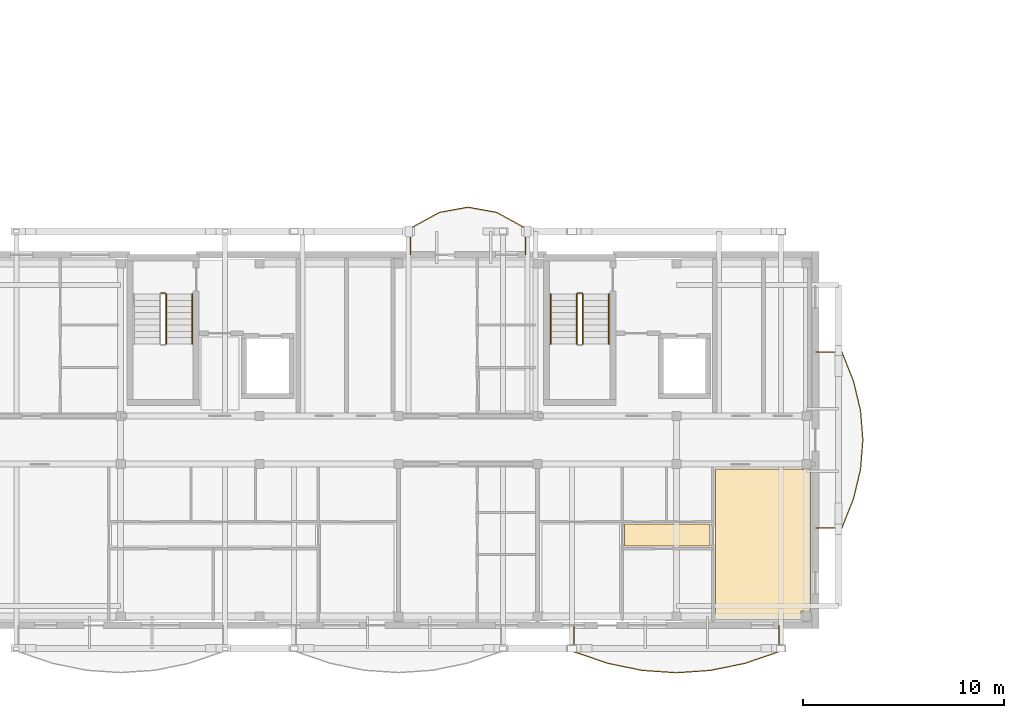
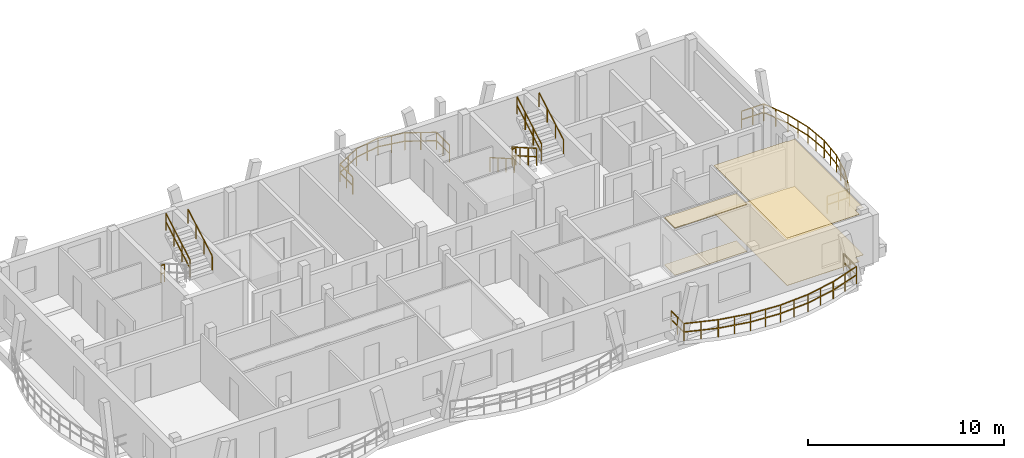
# One storey, part 19 of 21: 11 railings, 4 coverings.
"""IFC4 building model written with IfcOpenShell, lengths in metres."""

import ifcopenshell
import ifcopenshell.guid

model = None  # the IFC model being written
_history = None  # IfcOwnerHistory: only IFC2X3 demands one
_inside = {}  # id of a spatial element -> (the spatial element, [elements in it])
_under = {}  # id of a project, library or spatial element -> (it, [spatial elements below it])
_declared = {}  # id of a project -> (the project, [libraries it declares])
_typed = {}  # id of a type object -> (the type object, [elements of that type])
_made_of = {}  # id of a material, layer set ... -> (it, [elements and type objects made of it])


def new_model(schema):
    """Start an empty IFC model of exactly this schema.

    Asked for "IFC4X3", IfcOpenShell would pick the latest addendum, in which some entities
    have other attributes; the version numbers below select the first issue.
    IFC2X3 requires an IfcOwnerHistory on every rooted entity: one is made here for all.
    """
    global model, _history
    if schema == "IFC4X3":
        model = ifcopenshell.file(schema_version=(4, 3, 0, 0))
    else:
        model = ifcopenshell.file(schema=schema)
    _inside.clear()
    _under.clear()
    _declared.clear()
    _typed.clear()
    _made_of.clear()
    _history = None
    if model.schema == "IFC2X3":
        org = make("IfcOrganization", Name="unknown")
        user = make(
            "IfcPersonAndOrganization",
            ThePerson=make("IfcPerson", FamilyName="unknown"),
            TheOrganization=org,
        )
        app = make(
            "IfcApplication",
            ApplicationDeveloper=org,
            Version="unknown",
            ApplicationFullName="unknown",
            ApplicationIdentifier="unknown",
        )
        _history = make(
            "IfcOwnerHistory",
            OwningUser=user,
            OwningApplication=app,
            ChangeAction="ADDED",
            CreationDate=0,
        )
    return model


def make(cls, **values):
    """One entity of the class cls with the attributes given. An attribute that is None is left unset."""
    return model.create_entity(
        cls, **{name: value for name, value in values.items() if value is not None}
    )


def rooted(cls, **values):
    """An entity with a GlobalId (a new one), such as an element, a storey or a relation."""
    return make(cls, GlobalId=ifcopenshell.guid.new(), OwnerHistory=_history, **values)


def si_unit(unit_type, name, prefix=None):
    """IfcSIUnit, for example si_unit("LENGTHUNIT", "METRE", prefix="MILLI")."""
    return make("IfcSIUnit", UnitType=unit_type, Prefix=prefix, Name=name)


def assignment(units):
    """IfcUnitAssignment: the units of a project."""
    return None if units is None else make("IfcUnitAssignment", Units=units)


def point(xyz):
    """IfcCartesianPoint."""
    return None if xyz is None else make("IfcCartesianPoint", Coordinates=xyz)


def direction(xyz):
    """IfcDirection."""
    return None if xyz is None else make("IfcDirection", DirectionRatios=xyz)


def frame(location, z_axis=None, x_axis=None):
    """IfcAxis2Placement3D, a coordinate frame: its origin and axes. An axis left out is left unset."""
    return make(
        "IfcAxis2Placement3D",
        Location=point(location),
        Axis=direction(z_axis),
        RefDirection=direction(x_axis),
    )


def frame_2d(location, x_axis=None):
    """IfcAxis2Placement2D, a coordinate frame in the plane: its origin and x axis."""
    return make(
        "IfcAxis2Placement2D", Location=point(location), RefDirection=direction(x_axis)
    )


def origin():
    """The frame at (0, 0, 0) with its axes left unset."""
    return frame((0.0, 0.0, 0.0))


def origin_2d():
    """The frame at (0, 0) in the plane with its x axis left unset."""
    return frame_2d((0.0, 0.0))


def place(relative_to, where):
    """IfcLocalPlacement: puts the frame where relative to a parent placement (None: the world)."""
    return make(
        "IfcLocalPlacement", PlacementRelTo=relative_to, RelativePlacement=where
    )


def context(
    kind, dimensions, precision=None, world=None, true_north=None, identifier=None
):
    """IfcGeometricRepresentationContext, for example the 3D "Model" context."""
    return make(
        "IfcGeometricRepresentationContext",
        ContextIdentifier=identifier,
        ContextType=kind,
        CoordinateSpaceDimension=dimensions,
        Precision=precision,
        WorldCoordinateSystem=world,
        TrueNorth=true_north,
    )


def subcontext(parent, identifier, kind, view, scale=None):
    """IfcGeometricRepresentationSubContext, for example "Body" below "Model"."""
    return make(
        "IfcGeometricRepresentationSubContext",
        ContextIdentifier=identifier,
        ContextType=kind,
        ParentContext=parent,
        TargetScale=scale,
        TargetView=view,
    )


def project(units=None, contexts=None):
    """IfcProject with its units and contexts."""
    return rooted(
        "IfcProject",
        Name="project",
        RepresentationContexts=contexts,
        UnitsInContext=assignment(units),
    )


def spatial(cls, under=None, at=None, **own):
    """A site, building, storey or space (cls), placed at a placement, below another one or the project."""
    s = rooted(cls, ObjectPlacement=at, **own)
    if under is not None:
        _under.setdefault(under.id(), (under, []))[1].append(s)
    return s


def polyline(points):
    """IfcPolyline through the points."""
    return make("IfcPolyline", Points=[point(p) for p in points])


def profile(cls, at=None, kind="AREA", **sizes):
    """A parametric profile (cls). Its sizes go by their IFC names, for example OverallWidth=200.0."""
    return make(cls, ProfileType=kind, Position=at, **sizes)


def rectangle(**sizes):
    """IfcRectangleProfileDef."""
    return profile("IfcRectangleProfileDef", **sizes)


def outline(outer, holes=None, kind="AREA"):
    """IfcArbitraryClosedProfileDef: a profile drawn as a closed curve; with holes, ...WithVoids."""
    if holes is None:
        return make("IfcArbitraryClosedProfileDef", ProfileType=kind, OuterCurve=outer)
    return make(
        "IfcArbitraryProfileDefWithVoids",
        ProfileType=kind,
        OuterCurve=outer,
        InnerCurves=holes,
    )


def extrude(swept, where, along, depth):
    """IfcExtrudedAreaSolid: the profile swept, set in the frame where, extruded along a direction by depth."""
    return make(
        "IfcExtrudedAreaSolid",
        SweptArea=swept,
        Position=where,
        ExtrudedDirection=direction(along),
        Depth=depth,
    )


def shape(context_of_items, identifier, shape_type, items):
    """IfcShapeRepresentation: the items that make up one representation, for example the "Body"."""
    return make(
        "IfcShapeRepresentation",
        ContextOfItems=context_of_items,
        RepresentationIdentifier=identifier,
        RepresentationType=shape_type,
        Items=items,
    )


def material(Name=None, Category=None):
    """IfcMaterial."""
    return make("IfcMaterial", Name=Name, Category=Category)


def layer(
    of_material, thickness, ventilated=None, Name=None, Category=None, Priority=None
):
    """IfcMaterialLayer: one layer of a wall or slab, of a material (None: an air gap)."""
    return make(
        "IfcMaterialLayer",
        Material=of_material,
        LayerThickness=thickness,
        IsVentilated=ventilated,
        Name=Name,
        Category=Category,
        Priority=Priority,
    )


def layer_set(layers, Name=None):
    """IfcMaterialLayerSet."""
    return make("IfcMaterialLayerSet", MaterialLayers=layers, LayerSetName=Name)


def made_of(thing, what):
    """Note that an element or type object is made of a material, layer set ...; save() writes the relation."""
    if what is not None:
        _made_of.setdefault(what.id(), (what, []))[1].append(thing)
    return thing


def type_object(cls, material=None, **own):
    """A type object (cls), such as IfcWallType, which elements share."""
    return made_of(rooted(cls, **own), material)


def element(
    cls,
    number,
    at=None,
    inside=None,
    cuts=None,
    type_object=None,
    material=None,
    context=None,
    identifier="Body",
    shape_type=None,
    held_by="IfcProductDefinitionShape",
    body=None,
    shapes=None,
    **own,
):
    """One element of the class cls, such as IfcWall. Its Tag is "e" and its number.

    at: its placement. inside: the storey or other place that contains it. cuts: it is an
    opening in that element (IfcRelVoidsElement). A single representation is given by context,
    identifier, shape_type and body (its items); several are given by shapes. held_by: the class
    of the entity that holds the representations. save() writes the other relations.
    """
    e = rooted(cls, Tag="e%d" % number, ObjectPlacement=at, **own)
    if body is not None:
        shapes = [shape(context, identifier, shape_type, body)]
    if shapes is not None:
        e.Representation = make(held_by, Representations=shapes)
    if inside is not None:
        _inside.setdefault(inside.id(), (inside, []))[1].append(e)
    if cuts is not None:
        rooted(
            "IfcRelVoidsElement", RelatingBuildingElement=cuts, RelatedOpeningElement=e
        )
    if type_object is not None:
        _typed.setdefault(type_object.id(), (type_object, []))[1].append(e)
    return made_of(e, material)


def aggregate(whole, parts):
    """IfcRelAggregates: a whole, such as a stair, and the parts it consists of."""
    return rooted("IfcRelAggregates", RelatingObject=whole, RelatedObjects=parts)


def save(model, path):
    """Write the relations noted so far, then the file.

    IfcRelAggregates (storeys below a building ...), IfcRelContainedInSpatialStructure (elements
    in a storey), IfcRelDefinesByType, IfcRelAssociatesMaterial and IfcRelDeclares: one each for
    every whole, place, type object, material and project.
    """
    for whole, parts in _under.values():
        aggregate(whole, parts)
    for where, things in _inside.values():
        rooted(
            "IfcRelContainedInSpatialStructure",
            RelatedElements=things,
            RelatingStructure=where,
        )
    for kind, things in _typed.values():
        rooted("IfcRelDefinesByType", RelatedObjects=things, RelatingType=kind)
    for what, things in _made_of.values():
        rooted("IfcRelAssociatesMaterial", RelatedObjects=things, RelatingMaterial=what)
    for by, libraries in _declared.values():
        rooted("IfcRelDeclares", RelatingContext=by, RelatedDefinitions=libraries)
    model.write(path)


model = new_model("IFC4")

# Units and contexts
model_context = context("Model", 3, precision=1e-05, world=origin(), true_north=direction((0.0, 1.0)))
body_context = subcontext(model_context, "Body", "Model", "MODEL_VIEW")
ifc_project = project(units=[si_unit("LENGTHUNIT", "METRE"), si_unit("AREAUNIT", "SQUARE_METRE"), si_unit("VOLUMEUNIT", "CUBIC_METRE"), si_unit("PLANEANGLEUNIT", "RADIAN"), si_unit("MASSUNIT", "GRAM", prefix="KILO")], contexts=[model_context])

# Site, building, storey
site_placement = place(None, origin())
site = spatial("IfcSite", under=ifc_project, at=site_placement, CompositionType="ELEMENT")
building_placement = place(site_placement, origin())
building = spatial("IfcBuilding", under=site, at=building_placement, Name="Zavelmont Quarter", CompositionType="ELEMENT")
storey_placement = place(building_placement, frame((0.0, 0.0, 36.800048828125)))
storey = spatial("IfcBuildingStorey", under=building, at=storey_placement, Name="L11", CompositionType="ELEMENT", Elevation=36.800048828125)

# Coverings
ifc_material_1 = material(Name="Perforated acoustic gypsum board")
ifc_layer_1 = layer(ifc_material_1, 0.02490234375)
ifc_layer_set_1 = layer_set([ifc_layer_1], Name="Perforated acoustic gypsum board")
covering_type_1 = type_object("IfcCoveringType", Name="CV-CL01", PredefinedType="CEILING", material=ifc_layer_set_1)
covering_1_placement = place(storey_placement, frame((0.0, 0.0, 2.945068359375)))
element("IfcCovering", 1, at=covering_1_placement, inside=storey, type_object=covering_type_1, Name="L11 Living Dining acoustic ceiling", PredefinedType="CEILING", context=body_context, shape_type="SweptSolid", body=[
    extrude(outline(polyline([(36.429931640625, 7.77001953125), (40.695068359375, 7.77001953125), (40.695068359375, 7.735107421875), (41.169921875, 7.735107421875), (41.169921875, 0.705078125), (40.695068359375, 0.705078125), (40.695068359375, 0.280029296875), (36.429931640625, 0.280029296875), (36.429931640625, 7.77001953125)])), origin(), (0.0, 0.0, 1.0), 0.02490234375),
])
ifc_material_2 = material(Name="Slatted European ash acoustic baffle ceiling")
ifc_layer_2 = layer(ifc_material_2, 0.0400390625)
ifc_layer_set_2 = layer_set([ifc_layer_2], Name="Slatted European ash acoustic baffle ceiling")
covering_type_2 = type_object("IfcCoveringType", Name="CV-CL02", PredefinedType="CEILING", material=ifc_layer_set_2)
covering_2_placement = place(storey_placement, frame((0.0, 0.0, 2.929931640625)))
element("IfcCovering", 2, at=covering_2_placement, inside=storey, type_object=covering_type_2, Name="L11 Apartment Hall acoustic ceiling", PredefinedType="CEILING", context=body_context, shape_type="SweptSolid", body=[
    extrude(outline(polyline([(31.929931640625, 5.02001953125), (36.169921875, 5.02001953125), (36.169921875, 3.929931640625), (31.929931640625, 3.929931640625), (31.929931640625, 5.02001953125)])), origin(), (0.0, 0.0, 1.0), 0.0400390625),
])
ifc_material_3 = material(Name="Engineered European oak parquet")
ifc_layer_3 = layer(ifc_material_3, 0.02197265625)
ifc_layer_set_3 = layer_set([ifc_layer_3], Name="Engineered European oak parquet")
covering_type_3 = type_object("IfcCoveringType", Name="CV-FL01", PredefinedType="FLOORING", material=ifc_layer_set_3)
covering_3_placement = place(storey_placement, origin())
element("IfcCovering", 3, at=covering_3_placement, inside=storey, type_object=covering_type_3, Name="L11 Living Dining floor finish", PredefinedType="FLOORING", context=body_context, shape_type="SweptSolid", body=[
    extrude(outline(polyline([(36.429931640625, 7.77001953125), (40.695068359375, 7.77001953125), (40.695068359375, 7.735107421875), (41.169921875, 7.735107421875), (41.169921875, 0.705078125), (40.695068359375, 0.705078125), (40.695068359375, 0.280029296875), (36.429931640625, 0.280029296875), (36.429931640625, 7.77001953125)])), origin(), (0.0, 0.0, 1.0), 0.02197265625),
])
ifc_material_4 = material(Name="Honed Belgian bluestone tile", Category="masonry")
ifc_layer_4 = layer(ifc_material_4, 0.030029296875)
ifc_layer_set_4 = layer_set([ifc_layer_4], Name="Honed Belgian bluestone tile")
covering_type_4 = type_object("IfcCoveringType", Name="CV-FL02", PredefinedType="FLOORING", material=ifc_layer_set_4)
covering_4_placement = place(storey_placement, origin())
element("IfcCovering", 4, at=covering_4_placement, inside=storey, type_object=covering_type_4, Name="L11 Apartment Hall floor finish", PredefinedType="FLOORING", context=body_context, shape_type="SweptSolid", body=[
    extrude(outline(polyline([(31.929931640625, 5.02001953125), (36.169921875, 5.02001953125), (36.169921875, 3.929931640625), (31.929931640625, 3.929931640625), (31.929931640625, 5.02001953125)])), origin(), (0.0, 0.0, 1.0), 0.030029296875),
])

# Railings
ifc_material_5 = material(Name="Powder-coated steel and tempered double safety glass", Category="steel")
railing_type_1 = type_object("IfcRailingType", Name="RL-BAL1", PredefinedType="BALUSTRADE", material=ifc_material_5)
railing_1_placement = place(storey_placement, frame((29.416015625, -0.02001953125, 0.0)))
element("IfcRailing", 5, at=railing_1_placement, inside=storey, type_object=railing_type_1, Name="L11 Block A curved balcony guard RL-BAL1", PredefinedType="BALUSTRADE", context=body_context, shape_type="SweptSolid", body=[
    extrude(rectangle(XDim=0.048095703125, YDim=0.048095703125, at=origin_2d()), frame((0.0, 0.0, 1.076171875), z_axis=(0.0, -1.0, 0.0), x_axis=(1.0, 0.0, 0.0)), (0.0, 0.0, 1.0), 1.304443359375),
    extrude(rectangle(XDim=0.048095703125, YDim=0.048095703125, at=origin_2d()), frame((0.0, 0.0, 0.550048828125), z_axis=(0.0, -1.0, 0.0), x_axis=(1.0, 0.0, 0.0)), (0.0, 0.0, 1.0), 1.304443359375),
    extrude(rectangle(XDim=0.048095703125, YDim=0.048095703125, at=origin_2d()), frame((0.0, -1.304443359375, 1.076171875), z_axis=(0.946437285942, -0.322887695305, 0.0), x_axis=(0.322887695305, 0.946437285942, 0.0)), (0.0, 0.0, 1.0), 1.79052734375),
    extrude(rectangle(XDim=0.048095703125, YDim=0.048095703125, at=origin_2d()), frame((0.0, -1.304443359375, 0.550048828125), z_axis=(0.946437285942, -0.322887695305, 0.0), x_axis=(0.322887695305, 0.946437285942, 0.0)), (0.0, 0.0, 1.0), 1.79052734375),
    extrude(rectangle(XDim=0.048095703125, YDim=0.048095703125, at=origin_2d()), frame((1.694580078125, -1.882568359375, 1.076171875), z_axis=(0.979685955501, -0.200537848281, 0.0), x_axis=(0.200537848281, 0.979685955501, 0.0)), (0.0, 0.0, 1.0), 1.72998046875),
    extrude(rectangle(XDim=0.048095703125, YDim=0.048095703125, at=origin_2d()), frame((1.694580078125, -1.882568359375, 0.550048828125), z_axis=(0.979685955501, -0.200537848281, 0.0), x_axis=(0.200537848281, 0.979685955501, 0.0)), (0.0, 0.0, 1.0), 1.72998046875),
    extrude(rectangle(XDim=0.048095703125, YDim=0.048095703125, at=origin_2d()), frame((3.389404296875, -2.2294921875, 1.076171875), z_axis=(0.997686130784, -0.067988119847, 0.0), x_axis=(0.067988119847, 0.997686130784, 0.0)), (0.0, 0.0, 1.0), 1.698486328125),
    extrude(rectangle(XDim=0.048095703125, YDim=0.048095703125, at=origin_2d()), frame((3.389404296875, -2.2294921875, 0.550048828125), z_axis=(0.997686130784, -0.067988119847, 0.0), x_axis=(0.067988119847, 0.997686130784, 0.0)), (0.0, 0.0, 1.0), 1.698486328125),
    extrude(rectangle(XDim=0.048095703125, YDim=0.048095703125, at=origin_2d()), frame((5.083984375, -2.344970703125, 1.076171875), z_axis=(0.997686130784, 0.067988119847, 0.0), x_axis=(-0.067988119847, 0.997686130784, 0.0)), (0.0, 0.0, 1.0), 1.698486328125),
    extrude(rectangle(XDim=0.048095703125, YDim=0.048095703125, at=origin_2d()), frame((5.083984375, -2.344970703125, 0.550048828125), z_axis=(0.997686130784, 0.067988119847, 0.0), x_axis=(-0.067988119847, 0.997686130784, 0.0)), (0.0, 0.0, 1.0), 1.698486328125),
    extrude(rectangle(XDim=0.048095703125, YDim=0.048095703125, at=origin_2d()), frame((6.778564453125, -2.2294921875, 1.076171875), z_axis=(0.979685955501, 0.200537848281, 0.0), x_axis=(-0.200537848281, 0.979685955501, 0.0)), (0.0, 0.0, 1.0), 1.72998046875),
    extrude(rectangle(XDim=0.048095703125, YDim=0.048095703125, at=origin_2d()), frame((6.778564453125, -2.2294921875, 0.550048828125), z_axis=(0.979685955501, 0.200537848281, 0.0), x_axis=(-0.200537848281, 0.979685955501, 0.0)), (0.0, 0.0, 1.0), 1.72998046875),
    extrude(rectangle(XDim=0.048095703125, YDim=0.048095703125, at=origin_2d()), frame((8.473388671875, -1.882568359375, 1.076171875), z_axis=(0.946437285942, 0.322887695305, 0.0), x_axis=(-0.322887695305, 0.946437285942, 0.0)), (0.0, 0.0, 1.0), 1.79052734375),
    extrude(rectangle(XDim=0.048095703125, YDim=0.048095703125, at=origin_2d()), frame((8.473388671875, -1.882568359375, 0.550048828125), z_axis=(0.946437285942, 0.322887695305, 0.0), x_axis=(-0.322887695305, 0.946437285942, 0.0)), (0.0, 0.0, 1.0), 1.79052734375),
    extrude(rectangle(XDim=0.048095703125, YDim=0.048095703125, at=origin_2d()), frame((10.16796875, -1.304443359375, 1.076171875), z_axis=(0.0, 1.0, 0.0), x_axis=(-1.0, 0.0, 0.0)), (0.0, 0.0, 1.0), 1.304443359375),
    extrude(rectangle(XDim=0.048095703125, YDim=0.048095703125, at=origin_2d()), frame((10.16796875, -1.304443359375, 0.550048828125), z_axis=(0.0, 1.0, 0.0), x_axis=(-1.0, 0.0, 0.0)), (0.0, 0.0, 1.0), 1.304443359375),
    extrude(rectangle(XDim=0.0419921875, YDim=0.0419921875, at=origin_2d()), origin(), (0.0, 0.0, 1.0), 1.052001953125),
    extrude(rectangle(XDim=0.0419921875, YDim=0.0419921875, at=origin_2d()), frame((0.0, -0.65234375, 0.0)), (0.0, 0.0, 1.0), 1.052001953125),
    extrude(rectangle(XDim=0.0419921875, YDim=0.0419921875, at=origin_2d()), frame((0.0, -1.304443359375, 0.0)), (0.0, 0.0, 1.0), 1.052001953125),
    extrude(rectangle(XDim=0.0419921875, YDim=0.0419921875, at=origin_2d()), frame((0.84716796875, -1.593505859375, 0.0)), (0.0, 0.0, 1.0), 1.052001953125),
    extrude(rectangle(XDim=0.0419921875, YDim=0.0419921875, at=origin_2d()), frame((1.694580078125, -1.882568359375, 0.0)), (0.0, 0.0, 1.0), 1.052001953125),
    extrude(rectangle(XDim=0.0419921875, YDim=0.0419921875, at=origin_2d()), frame((2.5419921875, -2.05615234375, 0.0)), (0.0, 0.0, 1.0), 1.052001953125),
    extrude(rectangle(XDim=0.0419921875, YDim=0.0419921875, at=origin_2d()), frame((3.389404296875, -2.2294921875, 0.0)), (0.0, 0.0, 1.0), 1.052001953125),
    extrude(rectangle(XDim=0.0419921875, YDim=0.0419921875, at=origin_2d()), frame((4.23681640625, -2.287109375, 0.0)), (0.0, 0.0, 1.0), 1.052001953125),
    extrude(rectangle(XDim=0.0419921875, YDim=0.0419921875, at=origin_2d()), frame((5.083984375, -2.344970703125, 0.0)), (0.0, 0.0, 1.0), 1.052001953125),
    extrude(rectangle(XDim=0.0419921875, YDim=0.0419921875, at=origin_2d()), frame((5.93115234375, -2.287109375, 0.0)), (0.0, 0.0, 1.0), 1.052001953125),
    extrude(rectangle(XDim=0.0419921875, YDim=0.0419921875, at=origin_2d()), frame((6.778564453125, -2.2294921875, 0.0)), (0.0, 0.0, 1.0), 1.052001953125),
    extrude(rectangle(XDim=0.0419921875, YDim=0.0419921875, at=origin_2d()), frame((7.6259765625, -2.05615234375, 0.0)), (0.0, 0.0, 1.0), 1.052001953125),
    extrude(rectangle(XDim=0.0419921875, YDim=0.0419921875, at=origin_2d()), frame((8.473388671875, -1.882568359375, 0.0)), (0.0, 0.0, 1.0), 1.052001953125),
    extrude(rectangle(XDim=0.0419921875, YDim=0.0419921875, at=origin_2d()), frame((9.32080078125, -1.593505859375, 0.0)), (0.0, 0.0, 1.0), 1.052001953125),
    extrude(rectangle(XDim=0.0419921875, YDim=0.0419921875, at=origin_2d()), frame((10.16796875, -1.304443359375, 0.0)), (0.0, 0.0, 1.0), 1.052001953125),
    extrude(rectangle(XDim=0.0419921875, YDim=0.0419921875, at=origin_2d()), frame((10.16796875, -0.65234375, 0.0)), (0.0, 0.0, 1.0), 1.052001953125),
    extrude(rectangle(XDim=0.0419921875, YDim=0.0419921875, at=origin_2d()), frame((10.16796875, 0.0, 0.0)), (0.0, 0.0, 1.0), 1.052001953125),
])
railing_2_placement = place(storey_placement, frame((41.419921875, 4.82861328125, 0.0)))
element("IfcRailing", 6, at=railing_2_placement, inside=storey, type_object=railing_type_1, Name="L11 Block A curved balcony guard RL-BAL1", PredefinedType="BALUSTRADE", context=body_context, shape_type="SweptSolid", body=[
    extrude(rectangle(XDim=0.048095703125, YDim=0.048095703125, at=origin_2d()), frame((0.0, 0.0, 1.076171875), z_axis=(1.0, 0.0, 0.0), x_axis=(0.0, 1.0, 0.0)), (0.0, 0.0, 1.0), 1.304443359375),
    extrude(rectangle(XDim=0.048095703125, YDim=0.048095703125, at=origin_2d()), frame((0.0, 0.0, 0.550048828125), z_axis=(1.0, 0.0, 0.0), x_axis=(0.0, 1.0, 0.0)), (0.0, 0.0, 1.0), 1.304443359375),
    extrude(rectangle(XDim=0.048095703125, YDim=0.048095703125, at=origin_2d()), frame((1.304443359375, 0.0, 1.076171875), z_axis=(0.368811346347, 0.929504271537, 0.0), x_axis=(-0.929504271537, 0.368811346347, 0.0)), (0.0, 0.0, 1.0), 1.567626953125),
    extrude(rectangle(XDim=0.048095703125, YDim=0.048095703125, at=origin_2d()), frame((1.304443359375, 0.0, 0.550048828125), z_axis=(0.368811346347, 0.929504271537, 0.0), x_axis=(-0.929504271537, 0.368811346347, 0.0)), (0.0, 0.0, 1.0), 1.567626953125),
    extrude(rectangle(XDim=0.048095703125, YDim=0.048095703125, at=origin_2d()), frame((1.882568359375, 1.45703125, 1.076171875), z_axis=(0.231591149267, 0.972813208988, 0.0), x_axis=(-0.972813208988, 0.231591149267, 0.0)), (0.0, 0.0, 1.0), 1.498046875),
    extrude(rectangle(XDim=0.048095703125, YDim=0.048095703125, at=origin_2d()), frame((1.882568359375, 1.45703125, 0.550048828125), z_axis=(0.231591149267, 0.972813208988, 0.0), x_axis=(-0.972813208988, 0.231591149267, 0.0)), (0.0, 0.0, 1.0), 1.498046875),
    extrude(rectangle(XDim=0.048095703125, YDim=0.048095703125, at=origin_2d()), frame((2.2294921875, 2.914306640625, 1.076171875), z_axis=(0.079008274661, 0.996873960205, 0.0), x_axis=(-0.996873960205, 0.079008274661, 0.0)), (0.0, 0.0, 1.0), 1.461669921875),
    extrude(rectangle(XDim=0.048095703125, YDim=0.048095703125, at=origin_2d()), frame((2.2294921875, 2.914306640625, 0.550048828125), z_axis=(0.079008274661, 0.996873960205, 0.0), x_axis=(-0.996873960205, 0.079008274661, 0.0)), (0.0, 0.0, 1.0), 1.461669921875),
    extrude(rectangle(XDim=0.048095703125, YDim=0.048095703125, at=origin_2d()), frame((2.344970703125, 4.371337890625, 1.076171875), z_axis=(-0.078995120832, 0.996875002638, 0.0), x_axis=(-0.996875002638, -0.078995120832, 0.0)), (0.0, 0.0, 1.0), 1.4619140625),
    extrude(rectangle(XDim=0.048095703125, YDim=0.048095703125, at=origin_2d()), frame((2.344970703125, 4.371337890625, 0.550048828125), z_axis=(-0.078995120832, 0.996875002638, 0.0), x_axis=(-0.996875002638, -0.078995120832, 0.0)), (0.0, 0.0, 1.0), 1.4619140625),
    extrude(rectangle(XDim=0.048095703125, YDim=0.048095703125, at=origin_2d()), frame((2.2294921875, 5.82861328125, 1.076171875), z_axis=(-0.231627872948, 0.972804465694, 0.0), x_axis=(-0.972804465694, -0.231627872948, 0.0)), (0.0, 0.0, 1.0), 1.497802734375),
    extrude(rectangle(XDim=0.048095703125, YDim=0.048095703125, at=origin_2d()), frame((2.2294921875, 5.82861328125, 0.550048828125), z_axis=(-0.231627872948, 0.972804465694, 0.0), x_axis=(-0.972804465694, -0.231627872948, 0.0)), (0.0, 0.0, 1.0), 1.497802734375),
    extrude(rectangle(XDim=0.048095703125, YDim=0.048095703125, at=origin_2d()), frame((1.882568359375, 7.28564453125, 1.076171875), z_axis=(-0.368757961215, 0.929525452067, 0.0), x_axis=(-0.929525452067, -0.368757961215, 0.0)), (0.0, 0.0, 1.0), 1.56787109375),
    extrude(rectangle(XDim=0.048095703125, YDim=0.048095703125, at=origin_2d()), frame((1.882568359375, 7.28564453125, 0.550048828125), z_axis=(-0.368757961215, 0.929525452067, 0.0), x_axis=(-0.929525452067, -0.368757961215, 0.0)), (0.0, 0.0, 1.0), 1.56787109375),
    extrude(rectangle(XDim=0.048095703125, YDim=0.048095703125, at=origin_2d()), frame((1.304443359375, 8.742919921875, 1.076171875), z_axis=(-1.0, 0.0, 0.0), x_axis=(0.0, -1.0, 0.0)), (0.0, 0.0, 1.0), 1.304443359375),
    extrude(rectangle(XDim=0.048095703125, YDim=0.048095703125, at=origin_2d()), frame((1.304443359375, 8.742919921875, 0.550048828125), z_axis=(-1.0, 0.0, 0.0), x_axis=(0.0, -1.0, 0.0)), (0.0, 0.0, 1.0), 1.304443359375),
    extrude(rectangle(XDim=0.0419921875, YDim=0.0419921875, at=origin_2d()), origin(), (0.0, 0.0, 1.0), 1.052001953125),
    extrude(rectangle(XDim=0.0419921875, YDim=0.0419921875, at=origin_2d()), frame((0.65234375, 0.0, 0.0)), (0.0, 0.0, 1.0), 1.052001953125),
    extrude(rectangle(XDim=0.0419921875, YDim=0.0419921875, at=origin_2d()), frame((1.304443359375, 0.0, 0.0)), (0.0, 0.0, 1.0), 1.052001953125),
    extrude(rectangle(XDim=0.0419921875, YDim=0.0419921875, at=origin_2d()), frame((1.593505859375, 0.728515625, 0.0)), (0.0, 0.0, 1.0), 1.052001953125),
    extrude(rectangle(XDim=0.0419921875, YDim=0.0419921875, at=origin_2d()), frame((1.882568359375, 1.45703125, 0.0)), (0.0, 0.0, 1.0), 1.052001953125),
    extrude(rectangle(XDim=0.0419921875, YDim=0.0419921875, at=origin_2d()), frame((2.05615234375, 2.185546875, 0.0)), (0.0, 0.0, 1.0), 1.052001953125),
    extrude(rectangle(XDim=0.0419921875, YDim=0.0419921875, at=origin_2d()), frame((2.2294921875, 2.914306640625, 0.0)), (0.0, 0.0, 1.0), 1.052001953125),
    extrude(rectangle(XDim=0.0419921875, YDim=0.0419921875, at=origin_2d()), frame((2.287109375, 3.642822265625, 0.0)), (0.0, 0.0, 1.0), 1.052001953125),
    extrude(rectangle(XDim=0.0419921875, YDim=0.0419921875, at=origin_2d()), frame((2.344970703125, 4.371337890625, 0.0)), (0.0, 0.0, 1.0), 1.052001953125),
    extrude(rectangle(XDim=0.0419921875, YDim=0.0419921875, at=origin_2d()), frame((2.287109375, 5.10009765625, 0.0)), (0.0, 0.0, 1.0), 1.052001953125),
    extrude(rectangle(XDim=0.0419921875, YDim=0.0419921875, at=origin_2d()), frame((2.2294921875, 5.82861328125, 0.0)), (0.0, 0.0, 1.0), 1.052001953125),
    extrude(rectangle(XDim=0.0419921875, YDim=0.0419921875, at=origin_2d()), frame((2.05615234375, 6.55712890625, 0.0)), (0.0, 0.0, 1.0), 1.052001953125),
    extrude(rectangle(XDim=0.0419921875, YDim=0.0419921875, at=origin_2d()), frame((1.882568359375, 7.28564453125, 0.0)), (0.0, 0.0, 1.0), 1.052001953125),
    extrude(rectangle(XDim=0.0419921875, YDim=0.0419921875, at=origin_2d()), frame((1.593505859375, 8.01416015625, 0.0)), (0.0, 0.0, 1.0), 1.052001953125),
    extrude(rectangle(XDim=0.0419921875, YDim=0.0419921875, at=origin_2d()), frame((1.304443359375, 8.742919921875, 0.0)), (0.0, 0.0, 1.0), 1.052001953125),
    extrude(rectangle(XDim=0.0419921875, YDim=0.0419921875, at=origin_2d()), frame((0.65234375, 8.742919921875, 0.0)), (0.0, 0.0, 1.0), 1.052001953125),
    extrude(rectangle(XDim=0.0419921875, YDim=0.0419921875, at=origin_2d()), frame((0.0, 8.742919921875, 0.0)), (0.0, 0.0, 1.0), 1.052001953125),
])
railing_3_placement = place(storey_placement, frame((27.0, 18.419921875, 0.0)))
element("IfcRailing", 7, at=railing_3_placement, inside=storey, type_object=railing_type_1, Name="L11 Block A curved balcony guard RL-BAL1", PredefinedType="BALUSTRADE", context=body_context, shape_type="SweptSolid", body=[
    extrude(rectangle(XDim=0.048095703125, YDim=0.048095703125, at=origin_2d()), frame((0.0, 0.0, 1.076171875), z_axis=(0.0, 1.0, 0.0), x_axis=(-1.0, 0.0, 0.0)), (0.0, 0.0, 1.0), 1.304443359375),
    extrude(rectangle(XDim=0.048095703125, YDim=0.048095703125, at=origin_2d()), frame((0.0, 0.0, 0.550048828125), z_axis=(0.0, 1.0, 0.0), x_axis=(-1.0, 0.0, 0.0)), (0.0, 0.0, 1.0), 1.304443359375),
    extrude(rectangle(XDim=0.048095703125, YDim=0.048095703125, at=origin_2d()), frame((0.0, 1.304443359375, 1.076171875), z_axis=(-0.877061600492, 0.480377923038, 0.0), x_axis=(-0.480377923038, -0.877061600492, 0.0)), (0.0, 0.0, 1.0), 1.624755859375),
    extrude(rectangle(XDim=0.048095703125, YDim=0.048095703125, at=origin_2d()), frame((0.0, 1.304443359375, 0.550048828125), z_axis=(-0.877061600492, 0.480377923038, 0.0), x_axis=(-0.480377923038, -0.877061600492, 0.0)), (0.0, 0.0, 1.0), 1.624755859375),
    extrude(rectangle(XDim=0.048095703125, YDim=0.048095703125, at=origin_2d()), frame((-1.425048828125, 2.0849609375, 1.076171875), z_axis=(-0.983759160935, 0.179493490902, 0.0), x_axis=(-0.179493490902, -0.983759160935, 0.0)), (0.0, 0.0, 1.0), 1.448486328125),
    extrude(rectangle(XDim=0.048095703125, YDim=0.048095703125, at=origin_2d()), frame((-1.425048828125, 2.0849609375, 0.550048828125), z_axis=(-0.983759160935, 0.179493490902, 0.0), x_axis=(-0.179493490902, -0.983759160935, 0.0)), (0.0, 0.0, 1.0), 1.448486328125),
    extrude(rectangle(XDim=0.048095703125, YDim=0.048095703125, at=origin_2d()), frame((-2.85009765625, 2.344970703125, 1.076171875), z_axis=(-0.983753729626, -0.179523256006, 0.0), x_axis=(0.179523256006, -0.983753729626, 0.0)), (0.0, 0.0, 1.0), 1.4482421875),
    extrude(rectangle(XDim=0.048095703125, YDim=0.048095703125, at=origin_2d()), frame((-2.85009765625, 2.344970703125, 0.550048828125), z_axis=(-0.983753729626, -0.179523256006, 0.0), x_axis=(0.179523256006, -0.983753729626, 0.0)), (0.0, 0.0, 1.0), 1.4482421875),
    extrude(rectangle(XDim=0.048095703125, YDim=0.048095703125, at=origin_2d()), frame((-4.27490234375, 2.0849609375, 1.076171875), z_axis=(-0.877061600492, -0.480377923038, 0.0), x_axis=(0.480377923038, -0.877061600492, 0.0)), (0.0, 0.0, 1.0), 1.624755859375),
    extrude(rectangle(XDim=0.048095703125, YDim=0.048095703125, at=origin_2d()), frame((-4.27490234375, 2.0849609375, 0.550048828125), z_axis=(-0.877061600492, -0.480377923038, 0.0), x_axis=(0.480377923038, -0.877061600492, 0.0)), (0.0, 0.0, 1.0), 1.624755859375),
    extrude(rectangle(XDim=0.048095703125, YDim=0.048095703125, at=origin_2d()), frame((-5.699951171875, 1.304443359375, 1.076171875), z_axis=(0.0, -1.0, 0.0), x_axis=(1.0, 0.0, 0.0)), (0.0, 0.0, 1.0), 1.304443359375),
    extrude(rectangle(XDim=0.048095703125, YDim=0.048095703125, at=origin_2d()), frame((-5.699951171875, 1.304443359375, 0.550048828125), z_axis=(0.0, -1.0, 0.0), x_axis=(1.0, 0.0, 0.0)), (0.0, 0.0, 1.0), 1.304443359375),
    extrude(rectangle(XDim=0.0419921875, YDim=0.0419921875, at=origin_2d()), origin(), (0.0, 0.0, 1.0), 1.052001953125),
    extrude(rectangle(XDim=0.0419921875, YDim=0.0419921875, at=origin_2d()), frame((0.0, 0.65234375, 0.0)), (0.0, 0.0, 1.0), 1.052001953125),
    extrude(rectangle(XDim=0.0419921875, YDim=0.0419921875, at=origin_2d()), frame((0.0, 1.304443359375, 0.0)), (0.0, 0.0, 1.0), 1.052001953125),
    extrude(rectangle(XDim=0.0419921875, YDim=0.0419921875, at=origin_2d()), frame((-0.71240234375, 1.69482421875, 0.0)), (0.0, 0.0, 1.0), 1.052001953125),
    extrude(rectangle(XDim=0.0419921875, YDim=0.0419921875, at=origin_2d()), frame((-1.425048828125, 2.0849609375, 0.0)), (0.0, 0.0, 1.0), 1.052001953125),
    extrude(rectangle(XDim=0.0419921875, YDim=0.0419921875, at=origin_2d()), frame((-2.1376953125, 2.21484375, 0.0)), (0.0, 0.0, 1.0), 1.052001953125),
    extrude(rectangle(XDim=0.0419921875, YDim=0.0419921875, at=origin_2d()), frame((-2.85009765625, 2.344970703125, 0.0)), (0.0, 0.0, 1.0), 1.052001953125),
    extrude(rectangle(XDim=0.0419921875, YDim=0.0419921875, at=origin_2d()), frame((-3.5625, 2.21484375, 0.0)), (0.0, 0.0, 1.0), 1.052001953125),
    extrude(rectangle(XDim=0.0419921875, YDim=0.0419921875, at=origin_2d()), frame((-4.27490234375, 2.0849609375, 0.0)), (0.0, 0.0, 1.0), 1.052001953125),
    extrude(rectangle(XDim=0.0419921875, YDim=0.0419921875, at=origin_2d()), frame((-4.9873046875, 1.69482421875, 0.0)), (0.0, 0.0, 1.0), 1.052001953125),
    extrude(rectangle(XDim=0.0419921875, YDim=0.0419921875, at=origin_2d()), frame((-5.699951171875, 1.304443359375, 0.0)), (0.0, 0.0, 1.0), 1.052001953125),
    extrude(rectangle(XDim=0.0419921875, YDim=0.0419921875, at=origin_2d()), frame((-5.699951171875, 0.65234375, 0.0)), (0.0, 0.0, 1.0), 1.052001953125),
    extrude(rectangle(XDim=0.0419921875, YDim=0.0419921875, at=origin_2d()), frame((-5.699951171875, 0.0, 0.0)), (0.0, 0.0, 1.0), 1.052001953125),
])
ifc_material_6 = material(Name="Powder-coated steel stair guardrail", Category="steel")
railing_type_2 = type_object("IfcRailingType", Name="RL-GRD1", PredefinedType="GUARDRAIL", material=ifc_material_6)
railing_4_placement = place(storey_placement, frame((9.14990234375, 13.969970703125, 1.77783203125)))
element("IfcRailing", 8, at=railing_4_placement, inside=storey, type_object=railing_type_2, Name="L11 ST01 stair guardrail 3", PredefinedType="GUARDRAIL", context=body_context, shape_type="SweptSolid", body=[
    extrude(rectangle(XDim=0.048095703125, YDim=0.048095703125, at=origin_2d()), frame((0.0, 0.0, 1.076171875), z_axis=(0.0, 0.867490628297, 0.497453525283), x_axis=(-1.0, 0.0, 0.0)), (0.0, 0.0, 1.0), 2.85888671875),
    extrude(rectangle(XDim=0.048095703125, YDim=0.048095703125, at=origin_2d()), frame((0.0, 0.0, 0.550048828125), z_axis=(0.0, 0.867490628297, 0.497453525283), x_axis=(-1.0, 0.0, 0.0)), (0.0, 0.0, 1.0), 2.85888671875),
    extrude(rectangle(XDim=0.0419921875, YDim=0.0419921875, at=origin_2d()), origin(), (0.0, 0.0, 1.0), 1.052001953125),
    extrude(rectangle(XDim=0.0419921875, YDim=0.0419921875, at=origin_2d()), frame((0.0, 0.82666015625, 0.47412109375)), (0.0, 0.0, 1.0), 1.052001953125),
    extrude(rectangle(XDim=0.0419921875, YDim=0.0419921875, at=origin_2d()), frame((0.0, 1.6533203125, 0.947998046875)), (0.0, 0.0, 1.0), 1.052001953125),
    extrude(rectangle(XDim=0.0419921875, YDim=0.0419921875, at=origin_2d()), frame((0.0, 2.47998046875, 1.422119140625)), (0.0, 0.0, 1.0), 1.052001953125),
])
railing_5_placement = place(storey_placement, frame((8.89990234375, 16.5, 0.0)))
element("IfcRailing", 9, at=railing_5_placement, inside=storey, type_object=railing_type_2, Name="L11 ST01 stair guardrail 4", PredefinedType="GUARDRAIL", context=body_context, shape_type="SweptSolid", body=[
    extrude(rectangle(XDim=0.048095703125, YDim=0.048095703125, at=origin_2d()), frame((0.0, 0.0, 1.076171875), z_axis=(1.0, 0.0, 0.0), x_axis=(0.0, 1.0, 0.0)), (0.0, 0.0, 1.0), 0.2001953125),
    extrude(rectangle(XDim=0.048095703125, YDim=0.048095703125, at=origin_2d()), frame((0.0, 0.0, 0.550048828125), z_axis=(1.0, 0.0, 0.0), x_axis=(0.0, 1.0, 0.0)), (0.0, 0.0, 1.0), 0.2001953125),
    extrude(rectangle(XDim=0.0419921875, YDim=0.0419921875, at=origin_2d()), origin(), (0.0, 0.0, 1.0), 1.052001953125),
    extrude(rectangle(XDim=0.0419921875, YDim=0.0419921875, at=origin_2d()), frame((0.2001953125, 0.0, 0.0)), (0.0, 0.0, 1.0), 1.052001953125),
])
railing_6_placement = place(storey_placement, frame((29.550048828125, 16.449951171875, 0.177734375)))
element("IfcRailing", 10, at=railing_6_placement, inside=storey, type_object=railing_type_2, Name="L11 ST02 stair guardrail 1", PredefinedType="GUARDRAIL", context=body_context, shape_type="SweptSolid", body=[
    extrude(rectangle(XDim=0.048095703125, YDim=0.048095703125, at=origin_2d()), frame((0.0, 0.0, 1.076171875), z_axis=(0.0, -0.867490628297, 0.497453525283), x_axis=(1.0, 0.0, 0.0)), (0.0, 0.0, 1.0), 2.85888671875),
    extrude(rectangle(XDim=0.048095703125, YDim=0.048095703125, at=origin_2d()), frame((0.0, 0.0, 0.550048828125), z_axis=(0.0, -0.867490628297, 0.497453525283), x_axis=(1.0, 0.0, 0.0)), (0.0, 0.0, 1.0), 2.85888671875),
    extrude(rectangle(XDim=0.0419921875, YDim=0.0419921875, at=origin_2d()), origin(), (0.0, 0.0, 1.0), 1.052001953125),
    extrude(rectangle(XDim=0.0419921875, YDim=0.0419921875, at=origin_2d()), frame((0.0, -0.82666015625, 0.47412109375)), (0.0, 0.0, 1.0), 1.052001953125),
    extrude(rectangle(XDim=0.0419921875, YDim=0.0419921875, at=origin_2d()), frame((0.0, -1.6533203125, 0.947998046875)), (0.0, 0.0, 1.0), 1.052001953125),
    extrude(rectangle(XDim=0.0419921875, YDim=0.0419921875, at=origin_2d()), frame((0.0, -2.47998046875, 1.422119140625)), (0.0, 0.0, 1.0), 1.052001953125),
])
railing_7_placement = place(storey_placement, frame((29.85009765625, 13.969970703125, 1.77783203125)))
element("IfcRailing", 11, at=railing_7_placement, inside=storey, type_object=railing_type_2, Name="L11 ST02 stair guardrail 3", PredefinedType="GUARDRAIL", context=body_context, shape_type="SweptSolid", body=[
    extrude(rectangle(XDim=0.048095703125, YDim=0.048095703125, at=origin_2d()), frame((0.0, 0.0, 1.076171875), z_axis=(0.0, 0.867490628297, 0.497453525283), x_axis=(-1.0, 0.0, 0.0)), (0.0, 0.0, 1.0), 2.85888671875),
    extrude(rectangle(XDim=0.048095703125, YDim=0.048095703125, at=origin_2d()), frame((0.0, 0.0, 0.550048828125), z_axis=(0.0, 0.867490628297, 0.497453525283), x_axis=(-1.0, 0.0, 0.0)), (0.0, 0.0, 1.0), 2.85888671875),
    extrude(rectangle(XDim=0.0419921875, YDim=0.0419921875, at=origin_2d()), origin(), (0.0, 0.0, 1.0), 1.052001953125),
    extrude(rectangle(XDim=0.0419921875, YDim=0.0419921875, at=origin_2d()), frame((0.0, 0.82666015625, 0.47412109375)), (0.0, 0.0, 1.0), 1.052001953125),
    extrude(rectangle(XDim=0.0419921875, YDim=0.0419921875, at=origin_2d()), frame((0.0, 1.6533203125, 0.947998046875)), (0.0, 0.0, 1.0), 1.052001953125),
    extrude(rectangle(XDim=0.0419921875, YDim=0.0419921875, at=origin_2d()), frame((0.0, 2.47998046875, 1.422119140625)), (0.0, 0.0, 1.0), 1.052001953125),
])
railing_8_placement = place(storey_placement, frame((29.60009765625, 16.5, 0.0)))
element("IfcRailing", 12, at=railing_8_placement, inside=storey, type_object=railing_type_2, Name="L11 ST02 stair guardrail 4", PredefinedType="GUARDRAIL", context=body_context, shape_type="SweptSolid", body=[
    extrude(rectangle(XDim=0.048095703125, YDim=0.048095703125, at=origin_2d()), frame((0.0, 0.0, 1.076171875), z_axis=(1.0, 0.0, 0.0), x_axis=(0.0, 1.0, 0.0)), (0.0, 0.0, 1.0), 0.199951171875),
    extrude(rectangle(XDim=0.048095703125, YDim=0.048095703125, at=origin_2d()), frame((0.0, 0.0, 0.550048828125), z_axis=(1.0, 0.0, 0.0), x_axis=(0.0, 1.0, 0.0)), (0.0, 0.0, 1.0), 0.199951171875),
    extrude(rectangle(XDim=0.0419921875, YDim=0.0419921875, at=origin_2d()), origin(), (0.0, 0.0, 1.0), 1.052001953125),
    extrude(rectangle(XDim=0.0419921875, YDim=0.0419921875, at=origin_2d()), frame((0.199951171875, 0.0, 0.0)), (0.0, 0.0, 1.0), 1.052001953125),
])
ifc_material_7 = material(Name="Brushed stainless-steel wall handrail", Category="steel")
railing_type_3 = type_object("IfcRailingType", Name="RL-HND1", PredefinedType="HANDRAIL", material=ifc_material_7)
railing_9_placement = place(storey_placement, frame((10.449951171875, 13.969970703125, 1.77783203125)))
element("IfcRailing", 13, at=railing_9_placement, inside=storey, type_object=railing_type_3, Name="L11 ST01 stair handrail 2", PredefinedType="HANDRAIL", context=body_context, shape_type="SweptSolid", body=[
    extrude(rectangle(XDim=0.048095703125, YDim=0.048095703125, at=origin_2d()), frame((0.0, 0.0, 0.8759765625), z_axis=(0.0, 0.867490628297, 0.497453525283), x_axis=(-1.0, 0.0, 0.0)), (0.0, 0.0, 1.0), 2.85888671875),
    extrude(rectangle(XDim=0.0419921875, YDim=0.0419921875, at=origin_2d()), origin(), (0.0, 0.0, 1.0), 0.851806640625),
    extrude(rectangle(XDim=0.0419921875, YDim=0.0419921875, at=origin_2d()), frame((0.0, 0.82666015625, 0.47412109375)), (0.0, 0.0, 1.0), 0.851806640625),
    extrude(rectangle(XDim=0.0419921875, YDim=0.0419921875, at=origin_2d()), frame((0.0, 1.6533203125, 0.947998046875)), (0.0, 0.0, 1.0), 0.851806640625),
    extrude(rectangle(XDim=0.0419921875, YDim=0.0419921875, at=origin_2d()), frame((0.0, 2.47998046875, 1.422119140625)), (0.0, 0.0, 1.0), 0.851806640625),
])
railing_10_placement = place(storey_placement, frame((28.25, 16.449951171875, 0.177734375)))
element("IfcRailing", 14, at=railing_10_placement, inside=storey, type_object=railing_type_3, Name="L11 ST02 stair handrail 1", PredefinedType="HANDRAIL", context=body_context, shape_type="SweptSolid", body=[
    extrude(rectangle(XDim=0.048095703125, YDim=0.048095703125, at=origin_2d()), frame((0.0, 0.0, 0.8759765625), z_axis=(0.0, -0.867490628297, 0.497453525283), x_axis=(1.0, 0.0, 0.0)), (0.0, 0.0, 1.0), 2.85888671875),
    extrude(rectangle(XDim=0.0419921875, YDim=0.0419921875, at=origin_2d()), origin(), (0.0, 0.0, 1.0), 0.851806640625),
    extrude(rectangle(XDim=0.0419921875, YDim=0.0419921875, at=origin_2d()), frame((0.0, -0.82666015625, 0.47412109375)), (0.0, 0.0, 1.0), 0.851806640625),
    extrude(rectangle(XDim=0.0419921875, YDim=0.0419921875, at=origin_2d()), frame((0.0, -1.6533203125, 0.947998046875)), (0.0, 0.0, 1.0), 0.851806640625),
    extrude(rectangle(XDim=0.0419921875, YDim=0.0419921875, at=origin_2d()), frame((0.0, -2.47998046875, 1.422119140625)), (0.0, 0.0, 1.0), 0.851806640625),
])
railing_11_placement = place(storey_placement, frame((31.14990234375, 13.969970703125, 1.77783203125)))
element("IfcRailing", 15, at=railing_11_placement, inside=storey, type_object=railing_type_3, Name="L11 ST02 stair handrail 2", PredefinedType="HANDRAIL", context=body_context, shape_type="SweptSolid", body=[
    extrude(rectangle(XDim=0.048095703125, YDim=0.048095703125, at=origin_2d()), frame((0.0, 0.0, 0.8759765625), z_axis=(0.0, 0.867490628297, 0.497453525283), x_axis=(-1.0, 0.0, 0.0)), (0.0, 0.0, 1.0), 2.85888671875),
    extrude(rectangle(XDim=0.0419921875, YDim=0.0419921875, at=origin_2d()), origin(), (0.0, 0.0, 1.0), 0.851806640625),
    extrude(rectangle(XDim=0.0419921875, YDim=0.0419921875, at=origin_2d()), frame((0.0, 0.82666015625, 0.47412109375)), (0.0, 0.0, 1.0), 0.851806640625),
    extrude(rectangle(XDim=0.0419921875, YDim=0.0419921875, at=origin_2d()), frame((0.0, 1.6533203125, 0.947998046875)), (0.0, 0.0, 1.0), 0.851806640625),
    extrude(rectangle(XDim=0.0419921875, YDim=0.0419921875, at=origin_2d()), frame((0.0, 2.47998046875, 1.422119140625)), (0.0, 0.0, 1.0), 0.851806640625),
])

save(model, "model.ifc")
